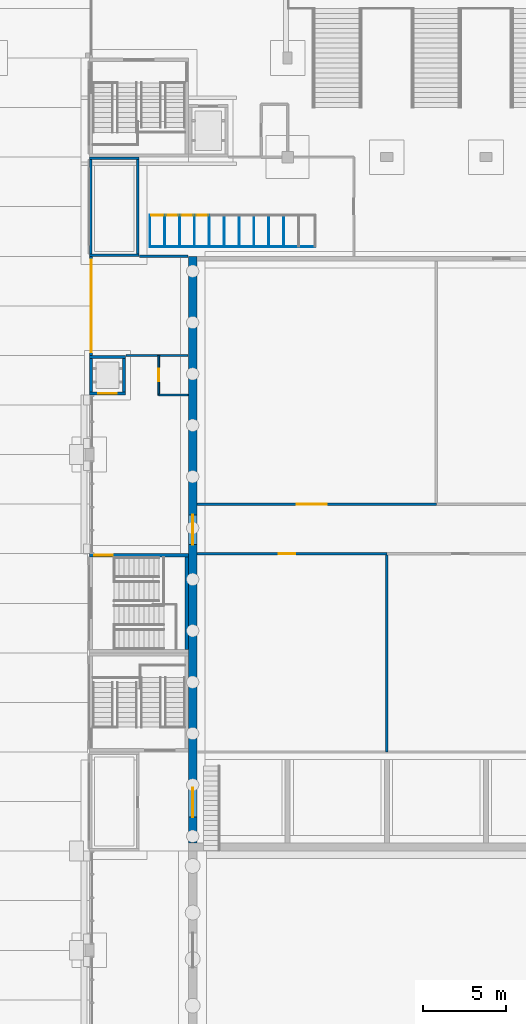
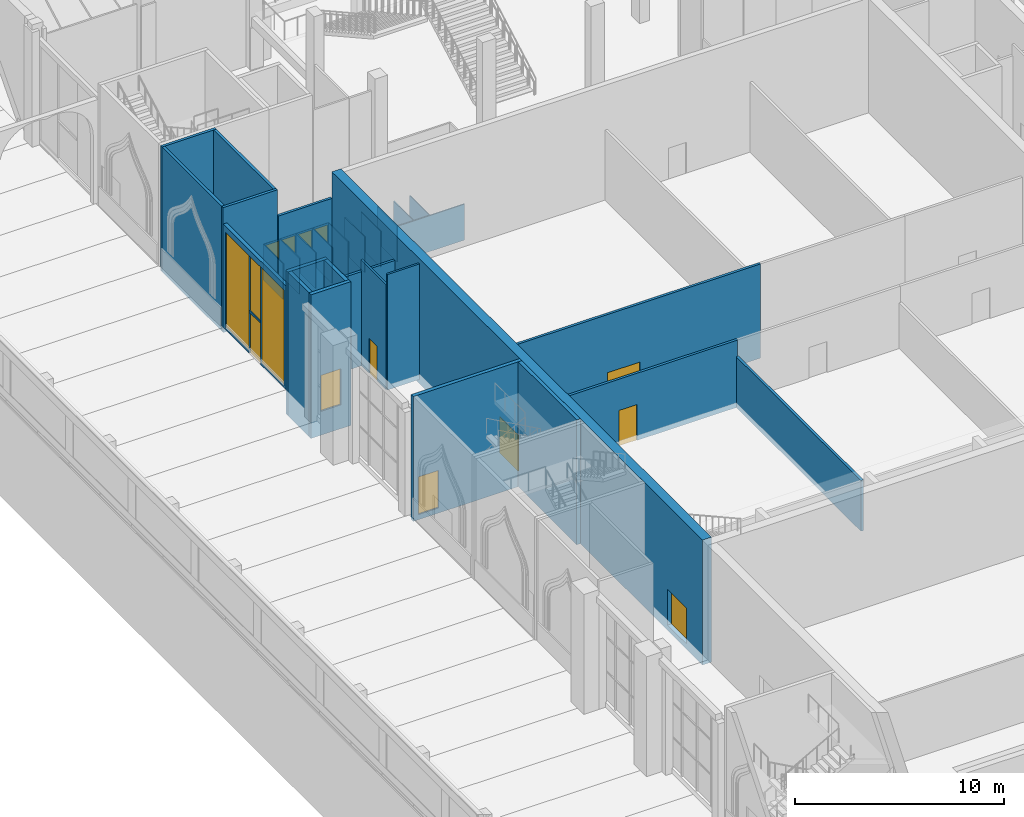
# One storey, part 46 of 95: 34 walls, 12 doors, 3 windows, 15 openings.
"""IFC4 building model written with IfcOpenShell, lengths in metres."""

from ifc_helpers import new_model, si_unit, direction, frame, frame_2d, origin, place, context, subcontext, project, spatial, rectangle, extrude, material, layer, layer_set, type_object, element, fill, save


model = new_model("IFC4")

# Units and contexts
model_context = context("Model", 3, precision=1e-05, world=origin(), true_north=direction((0.0, 1.0)))
body_context = subcontext(model_context, "Body", "Model", "MODEL_VIEW")
ifc_project = project(units=[si_unit("LENGTHUNIT", "METRE"), si_unit("AREAUNIT", "SQUARE_METRE"), si_unit("VOLUMEUNIT", "CUBIC_METRE"), si_unit("PLANEANGLEUNIT", "RADIAN"), si_unit("MASSUNIT", "GRAM", prefix="KILO")], contexts=[model_context])

# Site, building, storey
site_placement = place(None, origin())
site = spatial("IfcSite", under=ifc_project, at=site_placement, CompositionType="ELEMENT")
building_placement = place(site_placement, origin())
building = spatial("IfcBuilding", under=site, at=building_placement, Name="Saffron Lane Theatres", CompositionType="ELEMENT")
storey_placement = place(building_placement, origin())
storey = spatial("IfcBuildingStorey", under=building, at=storey_placement, Name="L00", CompositionType="ELEMENT", Elevation=0.0)

# Wall, openings, door, windows
ifc_material_1 = material(Name="Aluminium", Category="aluminium")
ifc_layer_1 = layer(ifc_material_1, 0.199951171875)
ifc_layer_set_1 = layer_set([ifc_layer_1], Name="Aluminium")
wall_type_1 = type_object("IfcWallType", Name="EX-SCREEN ALUMINIUM 200", PredefinedType="SOLIDWALL", material=ifc_layer_set_1)
wall_1_placement = place(storey_placement, frame((12.10009765625, 84.0, 0.0), z_axis=(0.0, 0.0, 1.0), x_axis=(0.0, 1.0, 0.0)))
wall_1 = element("IfcWall", 1, at=wall_1_placement, inside=storey, type_object=wall_type_1, Name="External wall L00 03", PredefinedType="SOLIDWALL", context=body_context, shape_type="SweptSolid", body=[
    extrude(rectangle(XDim=6.0, YDim=0.199951171875, at=frame_2d((3.0, 0.0))), origin(), (0.0, 0.0, 1.0), 6.050048828125),
])
opening_1_placement = place(wall_1_placement, frame((2.419921875, 0.0, 0.0)))
opening_1 = element("IfcOpeningElement", 2, at=opening_1_placement, cuts=wall_1, Name="Opening ED00-02", PredefinedType="OPENING", context=body_context, shape_type="SweptSolid", body=[
    extrude(rectangle(XDim=1.10009765625, YDim=2.39990234375, at=frame_2d((0.550048828125, 1.199951171875))), frame((0.0, 0.10986328125, 0.0), z_axis=(0.0, -1.0, 0.0), x_axis=(1.0, 0.0, 0.0)), (0.0, 0.0, 1.0), 0.219970703125),
])
opening_2_placement = place(wall_1_placement, frame((2.419921875, 0.0, 2.5)))
opening_2 = element("IfcOpeningElement", 3, at=opening_2_placement, cuts=wall_1, Name="Opening WN00-006", PredefinedType="OPENING", context=body_context, shape_type="SweptSolid", body=[
    extrude(rectangle(XDim=1.10009765625, YDim=3.199951171875, at=frame_2d((0.550048828125, 1.60009765625))), frame((0.0, 0.10986328125, 0.0), z_axis=(0.0, -1.0, 0.0), x_axis=(1.0, 0.0, 0.0)), (0.0, 0.0, 1.0), 0.219970703125),
])
opening_3_placement = place(wall_1_placement, frame((0.199951171875, 0.0, 0.10009765625)))
opening_3 = element("IfcOpeningElement", 4, at=opening_3_placement, cuts=wall_1, Name="Opening WN00-007", PredefinedType="OPENING", context=body_context, shape_type="SweptSolid", body=[
    extrude(rectangle(XDim=2.219970703125, YDim=5.60009765625, at=frame_2d((1.10986328125, 2.800048828125))), frame((0.0, 0.10986328125, 0.0), z_axis=(0.0, -1.0, 0.0), x_axis=(1.0, 0.0, 0.0)), (0.0, 0.0, 1.0), 0.219970703125),
])
opening_4_placement = place(wall_1_placement, frame((3.52001953125, 0.0, 0.10009765625)))
opening_4 = element("IfcOpeningElement", 5, at=opening_4_placement, cuts=wall_1, Name="Opening WN00-008", PredefinedType="OPENING", context=body_context, shape_type="SweptSolid", body=[
    extrude(rectangle(XDim=2.280029296875, YDim=5.60009765625, at=frame_2d((1.14013671875, 2.800048828125))), frame((0.0, 0.10986328125, 0.0), z_axis=(0.0, -1.0, 0.0), x_axis=(1.0, 0.0, 0.0)), (0.0, 0.0, 1.0), 0.219970703125),
])
ifc_material_2 = material(Name="Aluminium and glass door leaf", Category="aluminium")
door_type_1 = type_object("IfcDoorType", Name="EX-DOOR 1100x2400", OperationType="NOTDEFINED", PredefinedType="DOOR", material=ifc_material_2)
door_1_placement = place(opening_1_placement, origin())
door_1 = element("IfcDoor", 6, at=door_1_placement, inside=storey, type_object=door_type_1, Name="HVAC Plant Room door", OperationType="SINGLE_SWING_LEFT", OverallHeight=2.39990234375, OverallWidth=1.10009765625, PredefinedType="DOOR", context=body_context, shape_type="SweptSolid", body=[
    extrude(rectangle(XDim=1.10009765625, YDim=2.39990234375, at=frame_2d((0.550048828125, 1.199951171875))), frame((0.0, 0.02490234375, 0.0), z_axis=(0.0, -1.0, 0.0), x_axis=(1.0, 0.0, 0.0)), (0.0, 0.0, 1.0), 0.050048828125),
])
fill(opening_1, door_1)
ifc_material_3 = material(Name="Aluminium", Category="aluminium")
window_type_1 = type_object("IfcWindowType", Name="EX-WINDOW 1100x3200", PartitioningType="SINGLE_PANEL", PredefinedType="WINDOW", material=ifc_material_3)
window_1_placement = place(opening_2_placement, origin())
window_1 = element("IfcWindow", 7, at=window_1_placement, inside=storey, type_object=window_type_1, Name="Window L00 006", OverallHeight=3.199951171875, OverallWidth=1.10009765625, PartitioningType="SINGLE_PANEL", PredefinedType="WINDOW", context=body_context, shape_type="SweptSolid", body=[
    extrude(rectangle(XDim=1.10009765625, YDim=3.199951171875, at=frame_2d((0.550048828125, 1.60009765625))), frame((0.0, 0.030029296875, 0.0), z_axis=(0.0, -1.0, 0.0), x_axis=(1.0, 0.0, 0.0)), (0.0, 0.0, 1.0), 0.06005859375),
])
fill(opening_2, window_1)
ifc_material_4 = material(Name="Aluminium", Category="aluminium")
window_type_2 = type_object("IfcWindowType", Name="EX-WINDOW 2220x5600", PartitioningType="SINGLE_PANEL", PredefinedType="WINDOW", material=ifc_material_4)
window_2_placement = place(opening_3_placement, origin())
window_2 = element("IfcWindow", 8, at=window_2_placement, inside=storey, type_object=window_type_2, Name="Window L00 007", OverallHeight=5.60009765625, OverallWidth=2.219970703125, PartitioningType="SINGLE_PANEL", PredefinedType="WINDOW", context=body_context, shape_type="SweptSolid", body=[
    extrude(rectangle(XDim=2.219970703125, YDim=5.60009765625, at=frame_2d((1.10986328125, 2.800048828125))), frame((0.0, 0.030029296875, 0.0), z_axis=(0.0, -1.0, 0.0), x_axis=(1.0, 0.0, 0.0)), (0.0, 0.0, 1.0), 0.06005859375),
])
fill(opening_3, window_2)
ifc_material_5 = material(Name="Aluminium", Category="aluminium")
window_type_3 = type_object("IfcWindowType", Name="EX-WINDOW 2280x5600", PartitioningType="SINGLE_PANEL", PredefinedType="WINDOW", material=ifc_material_5)
window_3_placement = place(opening_4_placement, origin())
window_3 = element("IfcWindow", 9, at=window_3_placement, inside=storey, type_object=window_type_3, Name="Window L00 008", OverallHeight=5.60009765625, OverallWidth=2.280029296875, PartitioningType="SINGLE_PANEL", PredefinedType="WINDOW", context=body_context, shape_type="SweptSolid", body=[
    extrude(rectangle(XDim=2.280029296875, YDim=5.60009765625, at=frame_2d((1.14013671875, 2.800048828125))), frame((0.0, 0.030029296875, 0.0), z_axis=(0.0, -1.0, 0.0), x_axis=(1.0, 0.0, 0.0)), (0.0, 0.0, 1.0), 0.06005859375),
])
fill(opening_4, window_3)

# Wall, opening, door
ifc_material_6 = material(Name="Masonry block partition", Category="masonry")
ifc_layer_2 = layer(ifc_material_6, 0.110107421875)
ifc_layer_set_2 = layer_set([ifc_layer_2], Name="Masonry block partition")
wall_type_2 = type_object("IfcWallType", Name="IN-BLOCK PARTITION 110", PredefinedType="PARTITIONING", material=ifc_layer_set_2)
wall_2_placement = place(storey_placement, frame((16.199951171875, 81.60009765625, 0.0), z_axis=(0.0, 0.0, 1.0), x_axis=(0.0, 1.0, 0.0)))
wall_2 = element("IfcWall", 10, at=wall_2_placement, inside=storey, type_object=wall_type_2, Name="PW-L00-014", PredefinedType="PARTITIONING", context=body_context, shape_type="SweptSolid", body=[
    extrude(rectangle(XDim=2.39990234375, YDim=0.110107421875, at=frame_2d((1.199951171875, 0.0))), origin(), (0.0, 0.0, 1.0), 6.14990234375),
])
opening_5_placement = place(wall_2_placement, frame((0.85009765625, 0.0, 0.0)))
opening_5 = element("IfcOpeningElement", 11, at=opening_5_placement, cuts=wall_2, Name="Opening D00-46", PredefinedType="OPENING", context=body_context, shape_type="SweptSolid", body=[
    extrude(rectangle(XDim=0.75, YDim=2.0400390625, at=frame_2d((0.375, 1.02001953125))), frame((0.0, 0.06494140625, 0.0), z_axis=(0.0, -1.0, 0.0), x_axis=(1.0, 0.0, 0.0)), (0.0, 0.0, 1.0), 0.130126953125),
])
ifc_material_7 = material(Name="Steel faced fire door leaf", Category="steel")
door_type_2 = type_object("IfcDoorType", Name="IN-DOOR 750x2040 FD60", OperationType="NOTDEFINED", PredefinedType="DOOR", material=ifc_material_7)
door_2_placement = place(opening_5_placement, frame((0.75, 0.0, 0.0), z_axis=(0.0, 0.0, 1.0), x_axis=(-1.0, 0.0, 0.0)))
door_2 = element("IfcDoor", 12, at=door_2_placement, inside=storey, type_object=door_type_2, Name="D00-46", OperationType="SINGLE_SWING_LEFT", OverallHeight=2.0400390625, OverallWidth=0.75, PredefinedType="DOOR", context=body_context, shape_type="SweptSolid", body=[
    extrude(rectangle(XDim=0.75, YDim=2.0400390625, at=frame_2d((0.375, 1.02001953125))), frame((0.0, 0.02490234375, 0.0), z_axis=(0.0, -1.0, 0.0), x_axis=(1.0, 0.0, 0.0)), (0.0, 0.0, 1.0), 0.050048828125),
])
fill(opening_5, door_2)

# Wall
wall_3_placement = place(storey_placement, frame((16.199951171875, 81.60009765625, 0.0), z_axis=(0.0, 0.0, 1.0), x_axis=(1.0, 0.0, 0.0)))
element("IfcWall", 13, at=wall_3_placement, inside=storey, type_object=wall_type_2, Name="PW-L00-015", PredefinedType="PARTITIONING", context=body_context, shape_type="SweptSolid", body=[
    extrude(rectangle(XDim=1.780029296875, YDim=0.110107421875, at=frame_2d((0.89013671875, 0.0))), origin(), (0.0, 0.0, 1.0), 6.75),
])

# Wall, opening, door
ifc_material_8 = material(Name="Masonry block partition", Category="masonry")
ifc_layer_3 = layer(ifc_material_8, 0.139892578125)
ifc_layer_set_3 = layer_set([ifc_layer_3], Name="Masonry block partition")
wall_type_3 = type_object("IfcWallType", Name="IN-BLOCK PARTITION 140", PredefinedType="PARTITIONING", material=ifc_layer_set_3)
wall_4_placement = place(storey_placement, frame((18.52001953125, 75.0, 0.0), z_axis=(0.0, 0.0, 1.0), x_axis=(1.0, 0.0, 0.0)))
wall_4 = element("IfcWall", 14, at=wall_4_placement, inside=storey, type_object=wall_type_3, Name="PW-L00-059", PredefinedType="PARTITIONING", context=body_context, shape_type="SweptSolid", body=[
    extrude(rectangle(XDim=14.47998046875, YDim=0.139892578125, at=frame_2d((7.239990234375, 0.0))), origin(), (0.0, 0.0, 1.0), 5.5),
])
opening_6_placement = place(wall_4_placement, frame((6.030029296875, 0.0, 0.0)))
opening_6 = element("IfcOpeningElement", 15, at=opening_6_placement, cuts=wall_4, Name="Opening D00-09", PredefinedType="OPENING", context=body_context, shape_type="SweptSolid", body=[
    extrude(rectangle(XDim=1.800048828125, YDim=2.10009765625, at=frame_2d((0.89990234375, 1.050048828125))), frame((0.0, 0.080078125, 0.0), z_axis=(0.0, -1.0, 0.0), x_axis=(1.0, 0.0, 0.0)), (0.0, 0.0, 1.0), 0.159912109375),
])
ifc_material_9 = material(Name="Steel faced fire door leaf", Category="steel")
door_type_3 = type_object("IfcDoorType", Name="IN-DOOR 1800x2100 FD120", OperationType="DOUBLE_DOOR_SINGLE_SWING", PredefinedType="DOOR", material=ifc_material_9)
door_3_placement = place(opening_6_placement, origin())
door_3 = element("IfcDoor", 16, at=door_3_placement, inside=storey, type_object=door_type_3, Name="D00-09", OperationType="DOUBLE_DOOR_SINGLE_SWING", OverallHeight=2.10009765625, OverallWidth=1.800048828125, PredefinedType="DOOR", context=body_context, shape_type="SweptSolid", body=[
    extrude(rectangle(XDim=1.800048828125, YDim=2.10009765625, at=frame_2d((0.89990234375, 1.050048828125))), frame((0.0, 0.02490234375, 0.0), z_axis=(0.0, -1.0, 0.0), x_axis=(1.0, 0.0, 0.0)), (0.0, 0.0, 1.0), 0.050048828125),
])
fill(opening_6, door_3)

# Walls
wall_5_placement = place(storey_placement, frame((14.219970703125, 84.0, 0.0), z_axis=(0.0, 0.0, 1.0), x_axis=(1.0, 0.0, 0.0)))
element("IfcWall", 17, at=wall_5_placement, inside=storey, type_object=wall_type_3, Name="PW-L00-060", PredefinedType="PARTITIONING", context=body_context, shape_type="SweptSolid", body=[
    extrude(rectangle(XDim=3.760009765625, YDim=0.139892578125, at=frame_2d((1.8798828125, 0.0))), origin(), (0.0, 0.0, 1.0), 5.5),
])
wall_6_placement = place(storey_placement, frame((15.02001953125, 90.0, 0.0), z_axis=(0.0, 0.0, 1.0), x_axis=(1.0, 0.0, 0.0)))
element("IfcWall", 18, at=wall_6_placement, inside=storey, type_object=wall_type_3, Name="PW-L00-061", PredefinedType="PARTITIONING", context=body_context, shape_type="SweptSolid", body=[
    extrude(rectangle(XDim=2.9599609375, YDim=0.139892578125, at=frame_2d((1.47998046875, 0.0))), origin(), (0.0, 0.0, 1.0), 5.5),
])

# Wall, opening, door
wall_7_placement = place(storey_placement, frame((18.52001953125, 72.0, 0.0), z_axis=(0.0, 0.0, 1.0), x_axis=(1.0, 0.0, 0.0)))
wall_7 = element("IfcWall", 19, at=wall_7_placement, inside=storey, type_object=wall_type_3, Name="PW-L00-062", PredefinedType="PARTITIONING", context=body_context, shape_type="SweptSolid", body=[
    extrude(rectangle(XDim=11.47998046875, YDim=0.139892578125, at=frame_2d((5.739990234375, 0.0))), origin(), (0.0, 0.0, 1.0), 3.924072265625),
])
opening_7_placement = place(wall_7_placement, frame((4.929931640625, 0.0, 0.0)))
opening_7 = element("IfcOpeningElement", 20, at=opening_7_placement, cuts=wall_7, Name="Opening D00-12", PredefinedType="OPENING", context=body_context, shape_type="SweptSolid", body=[
    extrude(rectangle(XDim=1.0, YDim=2.10009765625, at=frame_2d((0.5, 1.050048828125))), frame((0.0, 0.080078125, 0.0), z_axis=(0.0, -1.0, 0.0), x_axis=(1.0, 0.0, 0.0)), (0.0, 0.0, 1.0), 0.159912109375),
])
ifc_material_10 = material(Name="Steel faced fire door leaf", Category="steel")
door_type_4 = type_object("IfcDoorType", Name="IN-DOOR 1000x2100 FD120", OperationType="NOTDEFINED", PredefinedType="DOOR", material=ifc_material_10)
door_4_placement = place(opening_7_placement, frame((1.0, 0.0, 0.0), z_axis=(0.0, 0.0, 1.0), x_axis=(-1.0, 0.0, 0.0)))
door_4 = element("IfcDoor", 21, at=door_4_placement, inside=storey, type_object=door_type_4, Name="D00-12", OperationType="SINGLE_SWING_LEFT", OverallHeight=2.10009765625, OverallWidth=1.0, PredefinedType="DOOR", context=body_context, shape_type="SweptSolid", body=[
    extrude(rectangle(XDim=1.0, YDim=2.10009765625, at=frame_2d((0.5, 1.050048828125))), frame((0.0, 0.02490234375, 0.0), z_axis=(0.0, -1.0, 0.0), x_axis=(1.0, 0.0, 0.0)), (0.0, 0.0, 1.0), 0.050048828125),
])
fill(opening_7, door_4)

# Walls
wall_8_placement = place(storey_placement, frame((30.0, 60.0, 0.0), z_axis=(0.0, 0.0, 1.0), x_axis=(0.0, 1.0, 0.0)))
element("IfcWall", 22, at=wall_8_placement, inside=storey, type_object=wall_type_3, Name="PW-L00-063", PredefinedType="PARTITIONING", context=body_context, shape_type="SweptSolid", body=[
    extrude(rectangle(XDim=12.0, YDim=0.139892578125, at=frame_2d((6.0, 0.0))), origin(), (0.0, 0.0, 1.0), 2.964111328125),
])
ifc_material_11 = material(Name="Laminate cubicle panel")
ifc_layer_4 = layer(ifc_material_11, 0.050048828125)
ifc_layer_set_4 = layer_set([ifc_layer_4], Name="Laminate cubicle panel")
wall_type_4 = type_object("IfcWallType", Name="IN-CUBICLE PANEL 050", PredefinedType="PARTITIONING", material=ifc_layer_set_4)
for number, where, z_axis, x_axis, name in (
    (23, (15.66259765625, 90.574951171875, 0.0), (0.0, 0.0, 1.0), (0.0, 1.0, 0.0), "PW-L00-126"),
    (24, (16.5625, 90.574951171875, 0.0), (0.0, 0.0, 1.0), (0.0, 1.0, 0.0), "PW-L00-127"),
    (25, (17.46240234375, 90.574951171875, 0.0), (0.0, 0.0, 1.0), (0.0, 1.0, 0.0), "PW-L00-128"),
    (26, (18.362548828125, 90.574951171875, 0.0), (0.0, 0.0, 1.0), (0.0, 1.0, 0.0), "PW-L00-129"),
    (27, (19.262451171875, 90.574951171875, 0.0), (0.0, 0.0, 1.0), (0.0, 1.0, 0.0), "PW-L00-130"),
    (28, (20.16259765625, 90.574951171875, 0.0), (0.0, 0.0, 1.0), (0.0, 1.0, 0.0), "PW-L00-131"),
    (29, (21.0625, 90.574951171875, 0.0), (0.0, 0.0, 1.0), (0.0, 1.0, 0.0), "PW-L00-132"),
    (30, (21.96240234375, 90.574951171875, 0.0), (0.0, 0.0, 1.0), (0.0, 1.0, 0.0), "PW-L00-133"),
    (31, (22.862548828125, 90.574951171875, 0.0), (0.0, 0.0, 1.0), (0.0, 1.0, 0.0), "PW-L00-134"),
    (32, (23.762451171875, 90.574951171875, 0.0), (0.0, 0.0, 1.0), (0.0, 1.0, 0.0), "PW-L00-135"),
):
    element("IfcWall", number, at=place(storey_placement, frame(where, z_axis=z_axis, x_axis=x_axis)), inside=storey, type_object=wall_type_4, Name=name, PredefinedType="PARTITIONING", context=body_context, shape_type="SweptSolid", body=[
        extrude(rectangle(XDim=1.900146484375, YDim=0.050048828125, at=frame_2d((0.9501953125, 0.0))), origin(), (0.0, 0.0, 1.0), 2.10009765625),
    ])

# Wall, opening, door
wall_9_placement = place(storey_placement, frame((15.66259765625, 92.47509765625, 0.0), z_axis=(0.0, 0.0, 1.0), x_axis=(1.0, 0.0, 0.0)))
wall_9 = element("IfcWall", 33, at=wall_9_placement, inside=storey, type_object=wall_type_4, Name="PW-L00-138", PredefinedType="PARTITIONING", context=body_context, shape_type="SweptSolid", body=[
    extrude(rectangle(XDim=0.89990234375, YDim=0.050048828125, at=frame_2d((0.449951171875, 0.0))), origin(), (0.0, 0.0, 1.0), 2.10009765625),
])
opening_8_placement = place(wall_9_placement, frame((0.074951171875, 0.0, 0.0)))
opening_8 = element("IfcOpeningElement", 34, at=opening_8_placement, cuts=wall_9, Name="Opening D00-67", PredefinedType="OPENING", context=body_context, shape_type="SweptSolid", body=[
    extrude(rectangle(XDim=0.75, YDim=2.0, at=frame_2d((0.375, 1.0))), frame((0.0, 0.03515625, 0.0), z_axis=(0.0, -1.0, 0.0), x_axis=(1.0, 0.0, 0.0)), (0.0, 0.0, 1.0), 0.070068359375),
])
ifc_material_12 = material(Name="Timber door leaf", Category="wood")
door_type_5 = type_object("IfcDoorType", Name="IN-DOOR 750x2000", OperationType="NOTDEFINED", PredefinedType="DOOR", material=ifc_material_12)
door_5_placement = place(opening_8_placement, frame((0.75, 0.0, 0.0), z_axis=(0.0, 0.0, 1.0), x_axis=(-1.0, 0.0, 0.0)))
door_5 = element("IfcDoor", 35, at=door_5_placement, inside=storey, type_object=door_type_5, Name="D00-67", OperationType="SINGLE_SWING_RIGHT", OverallHeight=2.0, OverallWidth=0.75, PredefinedType="DOOR", context=body_context, shape_type="SweptSolid", body=[
    extrude(rectangle(XDim=0.75, YDim=2.0, at=frame_2d((0.375, 1.0))), frame((0.0, 0.02490234375, 0.0), z_axis=(0.0, -1.0, 0.0), x_axis=(1.0, 0.0, 0.0)), (0.0, 0.0, 1.0), 0.049560546875),
])
fill(opening_8, door_5)

wall_10_placement = place(storey_placement, frame((16.5625, 92.47509765625, 0.0), z_axis=(0.0, 0.0, 1.0), x_axis=(1.0, 0.0, 0.0)))
wall_10 = element("IfcWall", 36, at=wall_10_placement, inside=storey, type_object=wall_type_4, Name="PW-L00-139", PredefinedType="PARTITIONING", context=body_context, shape_type="SweptSolid", body=[
    extrude(rectangle(XDim=0.89990234375, YDim=0.050048828125, at=frame_2d((0.449951171875, 0.0))), origin(), (0.0, 0.0, 1.0), 2.10009765625),
])
opening_9_placement = place(wall_10_placement, frame((0.074951171875, 0.0, 0.0)))
opening_9 = element("IfcOpeningElement", 37, at=opening_9_placement, cuts=wall_10, Name="Opening D00-68", PredefinedType="OPENING", context=body_context, shape_type="SweptSolid", body=[
    extrude(rectangle(XDim=0.75, YDim=2.0, at=frame_2d((0.375, 1.0))), frame((0.0, 0.03515625, 0.0), z_axis=(0.0, -1.0, 0.0), x_axis=(1.0, 0.0, 0.0)), (0.0, 0.0, 1.0), 0.070068359375),
])
door_6_placement = place(opening_9_placement, frame((0.75, 0.0, 0.0), z_axis=(0.0, 0.0, 1.0), x_axis=(-1.0, 0.0, 0.0)))
door_6 = element("IfcDoor", 38, at=door_6_placement, inside=storey, type_object=door_type_5, Name="D00-68", OperationType="SINGLE_SWING_LEFT", OverallHeight=2.0, OverallWidth=0.75, PredefinedType="DOOR", context=body_context, shape_type="SweptSolid", body=[
    extrude(rectangle(XDim=0.75, YDim=2.0, at=frame_2d((0.375, 1.0))), frame((0.0, 0.02490234375, 0.0), z_axis=(0.0, -1.0, 0.0), x_axis=(1.0, 0.0, 0.0)), (0.0, 0.0, 1.0), 0.049560546875),
])
fill(opening_9, door_6)

wall_11_placement = place(storey_placement, frame((17.46240234375, 92.47509765625, 0.0), z_axis=(0.0, 0.0, 1.0), x_axis=(1.0, 0.0, 0.0)))
wall_11 = element("IfcWall", 39, at=wall_11_placement, inside=storey, type_object=wall_type_4, Name="PW-L00-140", PredefinedType="PARTITIONING", context=body_context, shape_type="SweptSolid", body=[
    extrude(rectangle(XDim=0.900146484375, YDim=0.050048828125, at=frame_2d((0.4501953125, 0.0))), origin(), (0.0, 0.0, 1.0), 2.10009765625),
])
opening_10_placement = place(wall_11_placement, frame((0.074951171875, 0.0, 0.0)))
opening_10 = element("IfcOpeningElement", 40, at=opening_10_placement, cuts=wall_11, Name="Opening D00-69", PredefinedType="OPENING", context=body_context, shape_type="SweptSolid", body=[
    extrude(rectangle(XDim=0.75, YDim=2.0, at=frame_2d((0.375, 1.0))), frame((0.0, 0.03515625, 0.0), z_axis=(0.0, -1.0, 0.0), x_axis=(1.0, 0.0, 0.0)), (0.0, 0.0, 1.0), 0.070068359375),
])
door_7_placement = place(opening_10_placement, frame((0.75, 0.0, 0.0), z_axis=(0.0, 0.0, 1.0), x_axis=(-1.0, 0.0, 0.0)))
door_7 = element("IfcDoor", 41, at=door_7_placement, inside=storey, type_object=door_type_5, Name="D00-69", OperationType="SINGLE_SWING_RIGHT", OverallHeight=2.0, OverallWidth=0.75, PredefinedType="DOOR", context=body_context, shape_type="SweptSolid", body=[
    extrude(rectangle(XDim=0.75, YDim=2.0, at=frame_2d((0.375, 1.0))), frame((0.0, 0.02490234375, 0.0), z_axis=(0.0, -1.0, 0.0), x_axis=(1.0, 0.0, 0.0)), (0.0, 0.0, 1.0), 0.049560546875),
])
fill(opening_10, door_7)

wall_12_placement = place(storey_placement, frame((18.362548828125, 92.47509765625, 0.0), z_axis=(0.0, 0.0, 1.0), x_axis=(1.0, 0.0, 0.0)))
wall_12 = element("IfcWall", 42, at=wall_12_placement, inside=storey, type_object=wall_type_4, Name="PW-L00-141", PredefinedType="PARTITIONING", context=body_context, shape_type="SweptSolid", body=[
    extrude(rectangle(XDim=0.89990234375, YDim=0.050048828125, at=frame_2d((0.449951171875, 0.0))), origin(), (0.0, 0.0, 1.0), 2.10009765625),
])
opening_11_placement = place(wall_12_placement, frame((0.074951171875, 0.0, 0.0)))
opening_11 = element("IfcOpeningElement", 43, at=opening_11_placement, cuts=wall_12, Name="Opening D00-70", PredefinedType="OPENING", context=body_context, shape_type="SweptSolid", body=[
    extrude(rectangle(XDim=0.75, YDim=2.0, at=frame_2d((0.375, 1.0))), frame((0.0, 0.03515625, 0.0), z_axis=(0.0, -1.0, 0.0), x_axis=(1.0, 0.0, 0.0)), (0.0, 0.0, 1.0), 0.070068359375),
])
door_8_placement = place(opening_11_placement, frame((0.75, 0.0, 0.0), z_axis=(0.0, 0.0, 1.0), x_axis=(-1.0, 0.0, 0.0)))
door_8 = element("IfcDoor", 44, at=door_8_placement, inside=storey, type_object=door_type_5, Name="D00-70", OperationType="SINGLE_SWING_LEFT", OverallHeight=2.0, OverallWidth=0.75, PredefinedType="DOOR", context=body_context, shape_type="SweptSolid", body=[
    extrude(rectangle(XDim=0.75, YDim=2.0, at=frame_2d((0.375, 1.0))), frame((0.0, 0.02490234375, 0.0), z_axis=(0.0, -1.0, 0.0), x_axis=(1.0, 0.0, 0.0)), (0.0, 0.0, 1.0), 0.049560546875),
])
fill(opening_11, door_8)

# Walls
ifc_material_13 = material(Name="Laminate service partition on fire board")
ifc_layer_5 = layer(ifc_material_13, 0.06005859375)
ifc_layer_set_5 = layer_set([ifc_layer_5], Name="Laminate service partition on fire board")
wall_type_5 = type_object("IfcWallType", Name="IN-SERVICE FIRE PARTITION 060", PredefinedType="PARTITIONING", material=ifc_layer_set_5)
wall_13_placement = place(storey_placement, frame((15.66259765625, 90.574951171875, 0.0), z_axis=(0.0, 0.0, 1.0), x_axis=(1.0, 0.0, 0.0)))
element("IfcWall", 45, at=wall_13_placement, inside=storey, type_object=wall_type_5, Name="PW-L00-125", PredefinedType="PARTITIONING", context=body_context, shape_type="SweptSolid", body=[
    extrude(rectangle(XDim=10.0, YDim=0.06005859375, at=frame_2d((5.0, 0.0))), origin(), (0.0, 0.0, 1.0), 2.10009765625),
])
ifc_material_14 = material(Name="Concrete N50 (50 MPa)", Category="concrete")
ifc_layer_6 = layer(ifc_material_14, 0.14990234375)
ifc_layer_set_6 = layer_set([ifc_layer_6], Name="Concrete N50 (50 MPa)")
wall_type_6 = type_object("IfcWallType", Name="RC-CORE 150", PredefinedType="SHEAR", material=ifc_layer_set_6)
for number, where, z_axis, x_axis, name in (
    (46, (12.0, 95.925048828125, -0.300048828125), (0.0, 0.0, 1.0), (1.0, 0.0, 0.0), "W-R1-N-L00"),
    (47, (12.0, 90.074951171875, -0.300048828125), (0.0, 0.0, 1.0), (1.0, 0.0, 0.0), "W-R1-S-L00"),
):
    element("IfcWall", number, at=place(storey_placement, frame(where, z_axis=z_axis, x_axis=x_axis)), inside=storey, type_object=wall_type_6, Name=name, PredefinedType="SHEAR", context=body_context, shape_type="SweptSolid", body=[
        extrude(rectangle(XDim=3.0, YDim=0.14990234375, at=frame_2d((1.5, 0.0))), origin(), (0.0, 0.0, 1.0), 7.300048828125),
    ])
wall_14_placement = place(storey_placement, frame((14.925048828125, 90.14990234375, -0.300048828125), z_axis=(0.0, 0.0, 1.0), x_axis=(0.0, 1.0, 0.0)))
element("IfcWall", 48, at=wall_14_placement, inside=storey, type_object=wall_type_6, Name="W-R1-E-L00", PredefinedType="SHEAR", context=body_context, shape_type="SweptSolid", body=[
    extrude(rectangle(XDim=5.7001953125, YDim=0.14990234375, at=frame_2d((2.85009765625, 0.0))), origin(), (0.0, 0.0, 1.0), 7.300048828125),
])

# Wall, opening, door
ifc_material_15 = material(Name="Concrete N50 (50 MPa)", Category="concrete")
ifc_layer_7 = layer(ifc_material_15, 0.199951171875)
ifc_layer_set_7 = layer_set([ifc_layer_7], Name="Concrete N50 (50 MPa)")
wall_type_7 = type_object("IfcWallType", Name="RC-CORE 200", PredefinedType="SHEAR", material=ifc_layer_set_7)
wall_15_placement = place(storey_placement, frame((12.0, 71.89990234375, -0.300048828125), z_axis=(0.0, 0.0, 1.0), x_axis=(1.0, 0.0, 0.0)))
wall_15 = element("IfcWall", 49, at=wall_15_placement, inside=storey, type_object=wall_type_7, Name="W-ST3-N-L00", PredefinedType="SHEAR", context=body_context, shape_type="SweptSolid", body=[
    extrude(rectangle(XDim=6.0, YDim=0.199951171875, at=frame_2d((3.0, 0.0))), origin(), (0.0, 0.0, 1.0), 7.300048828125),
])
opening_12_placement = place(wall_15_placement, frame((0.300048828125, 0.0, 0.300048828125)))
opening_12 = element("IfcOpeningElement", 50, at=opening_12_placement, cuts=wall_15, Name="Opening D00-35", PredefinedType="OPENING", context=body_context, shape_type="SweptSolid", body=[
    extrude(rectangle(XDim=1.10009765625, YDim=2.199951171875, at=frame_2d((0.550048828125, 1.10009765625))), frame((0.0, 0.10986328125, 0.0), z_axis=(0.0, -1.0, 0.0), x_axis=(1.0, 0.0, 0.0)), (0.0, 0.0, 1.0), 0.219970703125),
])
ifc_material_16 = material(Name="Steel faced fire door leaf", Category="steel")
door_type_6 = type_object("IfcDoorType", Name="IN-DOOR 1100x2200 FD120", OperationType="NOTDEFINED", PredefinedType="DOOR", material=ifc_material_16)
door_9_placement = place(opening_12_placement, frame((1.10009765625, 0.0, 0.0), z_axis=(0.0, 0.0, 1.0), x_axis=(-1.0, 0.0, 0.0)))
door_9 = element("IfcDoor", 51, at=door_9_placement, inside=storey, type_object=door_type_6, Name="D00-35", OperationType="SINGLE_SWING_LEFT", OverallHeight=2.199951171875, OverallWidth=1.10009765625, PredefinedType="DOOR", context=body_context, shape_type="SweptSolid", body=[
    extrude(rectangle(XDim=1.10009765625, YDim=2.199951171875, at=frame_2d((0.550048828125, 1.10009765625))), frame((0.0, 0.02490234375, 0.0), z_axis=(0.0, -1.0, 0.0), x_axis=(1.0, 0.0, 0.0)), (0.0, 0.0, 1.0), 0.050048828125),
])
fill(opening_12, door_9)

# Walls
wall_16_placement = place(storey_placement, frame((17.89990234375, 66.199951171875, -0.300048828125), z_axis=(0.0, 0.0, 1.0), x_axis=(0.0, 1.0, 0.0)))
element("IfcWall", 52, at=wall_16_placement, inside=storey, type_object=wall_type_7, Name="W-ST3-E-L00", PredefinedType="SHEAR", context=body_context, shape_type="SweptSolid", body=[
    extrude(rectangle(XDim=5.60009765625, YDim=0.199951171875, at=frame_2d((2.800048828125, 0.0))), origin(), (0.0, 0.0, 1.0), 7.300048828125),
])
wall_17_placement = place(storey_placement, frame((12.0, 83.89990234375, -1.39990234375), z_axis=(0.0, 0.0, 1.0), x_axis=(1.0, 0.0, 0.0)))
element("IfcWall", 53, at=wall_17_placement, inside=storey, type_object=wall_type_7, Name="W-LC3-N-L00", PredefinedType="SHEAR", context=body_context, shape_type="SweptSolid", body=[
    extrude(rectangle(XDim=2.199951171875, YDim=0.199951171875, at=frame_2d((1.10009765625, 0.0))), origin(), (0.0, 0.0, 1.0), 8.39990234375),
])

# Wall, opening, door
wall_18_placement = place(storey_placement, frame((12.0, 81.699951171875, -1.39990234375), z_axis=(0.0, 0.0, 1.0), x_axis=(1.0, 0.0, 0.0)))
wall_18 = element("IfcWall", 54, at=wall_18_placement, inside=storey, type_object=wall_type_7, Name="W-LC3-S-L00", PredefinedType="SHEAR", context=body_context, shape_type="SweptSolid", body=[
    extrude(rectangle(XDim=2.199951171875, YDim=0.199951171875, at=frame_2d((1.10009765625, 0.0))), origin(), (0.0, 0.0, 1.0), 8.39990234375),
])
opening_13_placement = place(wall_18_placement, frame((0.550048828125, 0.0, 1.39990234375)))
opening_13 = element("IfcOpeningElement", 55, at=opening_13_placement, cuts=wall_18, Name="Opening LD9", PredefinedType="OPENING", context=body_context, shape_type="SweptSolid", body=[
    extrude(rectangle(XDim=1.10009765625, YDim=2.10009765625, at=frame_2d((0.550048828125, 1.050048828125))), frame((0.0, 0.10986328125, 0.0), z_axis=(0.0, -1.0, 0.0), x_axis=(1.0, 0.0, 0.0)), (0.0, 0.0, 1.0), 0.219970703125),
])
ifc_material_17 = material(Name="Stainless steel 316", Category="steel")
door_type_7 = type_object("IfcDoorType", Name="VC-LANDING DOOR 1100x2100", OperationType="DOUBLE_DOOR_SLIDING", PredefinedType="DOOR", material=ifc_material_17)
door_10_placement = place(opening_13_placement, origin())
door_10 = element("IfcDoor", 56, at=door_10_placement, inside=storey, type_object=door_type_7, Name="Landing doors LC3 L00", OperationType="DOUBLE_DOOR_SLIDING", OverallHeight=2.10009765625, OverallWidth=1.10009765625, PredefinedType="DOOR", context=body_context, shape_type="SweptSolid", body=[
    extrude(rectangle(XDim=1.10009765625, YDim=2.10009765625, at=frame_2d((0.550048828125, 1.050048828125))), frame((0.0, 0.02490234375, 0.0), z_axis=(0.0, -1.0, 0.0), x_axis=(1.0, 0.0, 0.0)), (0.0, 0.0, 1.0), 0.050048828125),
])
fill(opening_13, door_10)

# Walls
wall_19_placement = place(storey_placement, frame((14.10009765625, 81.800048828125, -1.39990234375), z_axis=(0.0, 0.0, 1.0), x_axis=(0.0, 1.0, 0.0)))
element("IfcWall", 57, at=wall_19_placement, inside=storey, type_object=wall_type_7, Name="W-LC3-E-L00", PredefinedType="SHEAR", context=body_context, shape_type="SweptSolid", body=[
    extrude(rectangle(XDim=2.0, YDim=0.199951171875, at=frame_2d((1.0, 0.0))), origin(), (0.0, 0.0, 1.0), 8.39990234375),
])
ifc_material_18 = material(Name="Concrete N50 (50 MPa)", Category="concrete")
ifc_layer_8 = layer(ifc_material_18, 0.14990234375)
ifc_layer_set_8 = layer_set([ifc_layer_8], Name="Concrete N50 (50 MPa)")
wall_type_8 = type_object("IfcWallType", Name="RC-CORE EXTERNAL 150", PredefinedType="SHEAR", material=ifc_layer_set_8)
wall_20_placement = place(storey_placement, frame((12.074951171875, 90.14990234375, -0.300048828125), z_axis=(0.0, 0.0, 1.0), x_axis=(0.0, 1.0, 0.0)))
element("IfcWall", 58, at=wall_20_placement, inside=storey, type_object=wall_type_8, Name="W-R1-W-L00", PredefinedType="SHEAR", context=body_context, shape_type="SweptSolid", body=[
    extrude(rectangle(XDim=5.7001953125, YDim=0.14990234375, at=frame_2d((2.85009765625, 0.0))), origin(), (0.0, 0.0, 1.0), 7.300048828125),
])
ifc_material_19 = material(Name="Concrete N50 (50 MPa)", Category="concrete")
ifc_layer_9 = layer(ifc_material_19, 0.199951171875)
ifc_layer_set_9 = layer_set([ifc_layer_9], Name="Concrete N50 (50 MPa)")
wall_type_9 = type_object("IfcWallType", Name="RC-CORE EXTERNAL 200", PredefinedType="SHEAR", material=ifc_layer_set_9)
wall_21_placement = place(storey_placement, frame((12.10009765625, 81.800048828125, -1.39990234375), z_axis=(0.0, 0.0, 1.0), x_axis=(0.0, 1.0, 0.0)))
element("IfcWall", 59, at=wall_21_placement, inside=storey, type_object=wall_type_9, Name="W-LC3-W-L00", PredefinedType="SHEAR", context=body_context, shape_type="SweptSolid", body=[
    extrude(rectangle(XDim=2.0, YDim=0.199951171875, at=frame_2d((1.0, 0.0))), origin(), (0.0, 0.0, 1.0), 8.39990234375),
])

# Wall, openings, doors
ifc_material_20 = material(Name="Concrete N50 (50 MPa)", Category="concrete")
ifc_layer_10 = layer(ifc_material_20, 0.5)
ifc_layer_set_10 = layer_set([ifc_layer_10], Name="Concrete N50 (50 MPa)")
wall_type_10 = type_object("IfcWallType", Name="RC-WALL 500", PredefinedType="SHEAR", material=ifc_layer_set_10)
wall_22_placement = place(storey_placement, frame((18.25, 54.5, -0.300048828125), z_axis=(0.0, 0.0, 1.0), x_axis=(0.0, 1.0, 0.0)))
wall_22 = element("IfcWall", 60, at=wall_22_placement, inside=storey, type_object=wall_type_10, Name="W-AUDS-W-L00", PredefinedType="SHEAR", context=body_context, shape_type="SweptSolid", body=[
    extrude(rectangle(XDim=35.5, YDim=0.5, at=frame_2d((17.75, 0.0))), origin(), (0.0, 0.0, 1.0), 7.300048828125),
])
opening_14_placement = place(wall_22_placement, frame((1.550048828125, 0.0, 0.300048828125)))
opening_14 = element("IfcOpeningElement", 61, at=opening_14_placement, cuts=wall_22, Name="Opening D00-15", PredefinedType="OPENING", context=body_context, shape_type="SweptSolid", body=[
    extrude(rectangle(XDim=1.800048828125, YDim=2.10009765625, at=frame_2d((0.89990234375, 1.050048828125))), frame((0.0, 0.260009765625, 0.0), z_axis=(0.0, -1.0, 0.0), x_axis=(1.0, 0.0, 0.0)), (0.0, 0.0, 1.0), 0.52001953125),
])
opening_15_placement = place(wall_22_placement, frame((18.050048828125, 0.0, 0.300048828125)))
opening_15 = element("IfcOpeningElement", 62, at=opening_15_placement, cuts=wall_22, Name="Opening D00-57", PredefinedType="OPENING", context=body_context, shape_type="SweptSolid", body=[
    extrude(rectangle(XDim=1.800048828125, YDim=2.10009765625, at=frame_2d((0.89990234375, 1.050048828125))), frame((0.0, 0.260009765625, 0.0), z_axis=(0.0, -1.0, 0.0), x_axis=(1.0, 0.0, 0.0)), (0.0, 0.0, 1.0), 0.52001953125),
])
door_11_placement = place(opening_14_placement, frame((1.800048828125, 0.0, 0.0), z_axis=(0.0, 0.0, 1.0), x_axis=(-1.0, 0.0, 0.0)))
door_11 = element("IfcDoor", 63, at=door_11_placement, inside=storey, type_object=door_type_3, Name="D00-15", OperationType="DOUBLE_DOOR_SINGLE_SWING", OverallHeight=2.10009765625, OverallWidth=1.800048828125, PredefinedType="DOOR", context=body_context, shape_type="SweptSolid", body=[
    extrude(rectangle(XDim=1.800048828125, YDim=2.10009765625, at=frame_2d((0.89990234375, 1.050048828125))), frame((0.0, 0.02490234375, 0.0), z_axis=(0.0, -1.0, 0.0), x_axis=(1.0, 0.0, 0.0)), (0.0, 0.0, 1.0), 0.050048828125),
])
fill(opening_14, door_11)
door_12_placement = place(opening_15_placement, frame((1.800048828125, 0.0, 0.0), z_axis=(0.0, 0.0, 1.0), x_axis=(-1.0, 0.0, 0.0)))
door_12 = element("IfcDoor", 64, at=door_12_placement, inside=storey, type_object=door_type_3, Name="D00-57", OperationType="DOUBLE_DOOR_SINGLE_SWING", OverallHeight=2.10009765625, OverallWidth=1.800048828125, PredefinedType="DOOR", context=body_context, shape_type="SweptSolid", body=[
    extrude(rectangle(XDim=1.800048828125, YDim=2.10009765625, at=frame_2d((0.89990234375, 1.050048828125))), frame((0.0, 0.02490234375, 0.0), z_axis=(0.0, -1.0, 0.0), x_axis=(1.0, 0.0, 0.0)), (0.0, 0.0, 1.0), 0.050048828125),
])
fill(opening_15, door_12)

save(model, "model.ifc")
